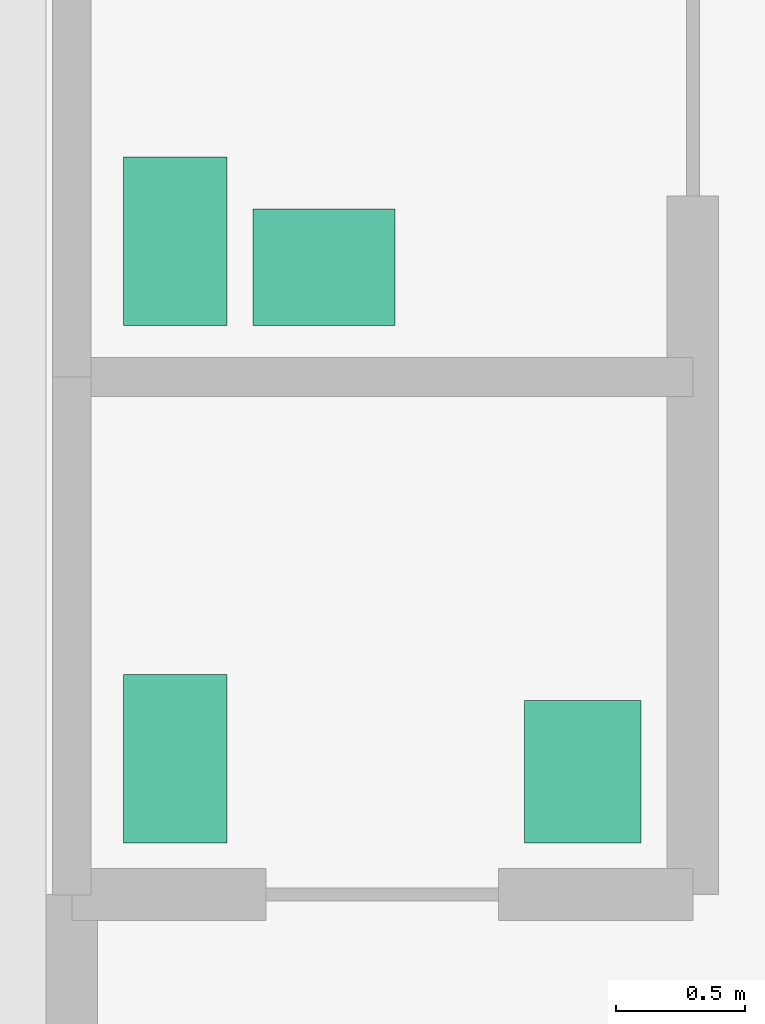
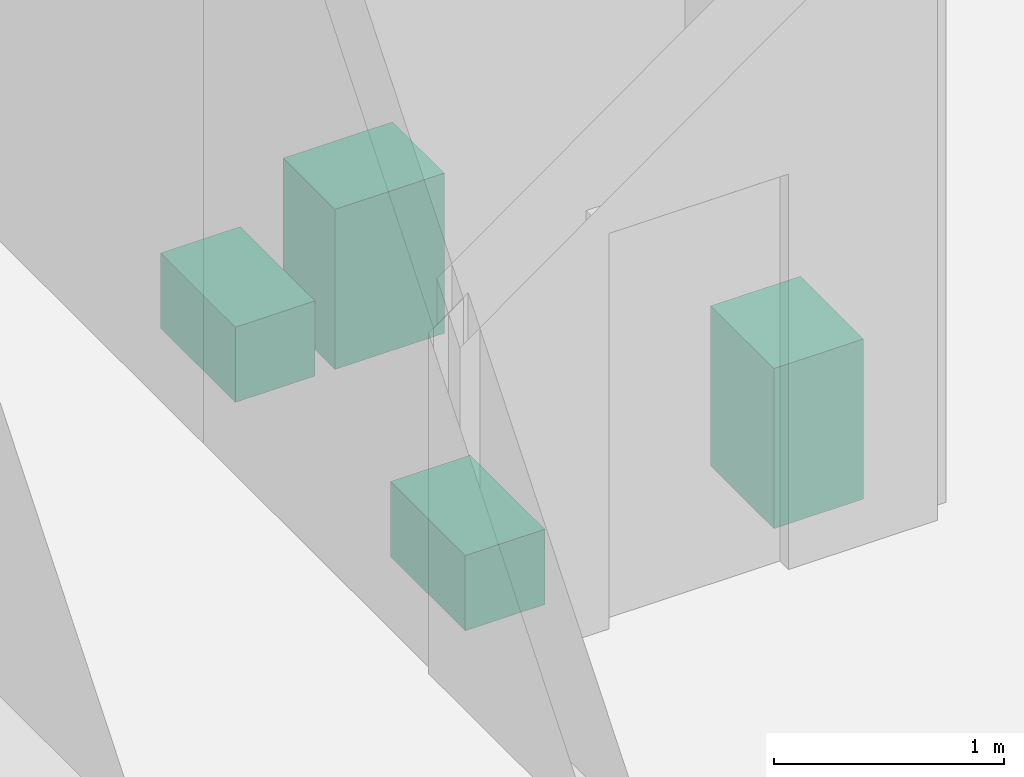
# One storey, part 9 of 9: 4 sanitary terminals.
"""IFC4 building model written with IfcOpenShell, lengths in metres."""

from ifc_helpers import new_model, si_unit, direction, frame, origin, origin_2d, place, context, subcontext, project, spatial, rectangle, extrude, material, type_object, element, save


model = new_model("IFC4")

# Units and contexts
model_context = context("Model", 3, precision=1e-05, world=origin(), true_north=direction((0.0, 1.0)))
body_context = subcontext(model_context, "Body", "Model", "MODEL_VIEW")
ifc_project = project(units=[si_unit("LENGTHUNIT", "METRE"), si_unit("AREAUNIT", "SQUARE_METRE"), si_unit("VOLUMEUNIT", "CUBIC_METRE"), si_unit("PLANEANGLEUNIT", "RADIAN"), si_unit("MASSUNIT", "GRAM", prefix="KILO")], contexts=[model_context])

# Site, building, storey
site_placement = place(None, origin())
site = spatial("IfcSite", under=ifc_project, at=site_placement, CompositionType="ELEMENT")
building_placement = place(site_placement, origin())
building = spatial("IfcBuilding", under=site, at=building_placement, Name="Mashrafa Tower", CompositionType="ELEMENT")
storey_placement = place(building_placement, frame((0.0, 0.0, 266.300048828125)))
storey = spatial("IfcBuildingStorey", under=building, at=storey_placement, Name="L64", CompositionType="ELEMENT", Elevation=266.300048828125)

# Sanitary terminals
ifc_material_1 = material(Name="Vitreous china")
sanitary_terminal_type_1 = type_object("IfcSanitaryTerminalType", Name="Toilet pan 400 x 650", PredefinedType="TOILETPAN", material=ifc_material_1)
for number, where, z_axis, x_axis, name in (
    (1, (13.449951171875, 3.125, 0.0), (0.0, 0.0, 1.0), (1.0, 0.0, 0.0), "Toilet pan Refuge WC L64"),
    (2, (13.449951171875, 5.125, 0.0), (0.0, 0.0, 1.0), (1.0, 0.0, 0.0), "Toilet pan Refuge Accessible WC L64"),
):
    element("IfcSanitaryTerminal", number, at=place(storey_placement, frame(where, z_axis=z_axis, x_axis=x_axis)), inside=storey, type_object=sanitary_terminal_type_1, Name=name, PredefinedType="TOILETPAN", context=body_context, shape_type="SweptSolid", body=[
        extrude(rectangle(XDim=0.39990234375, YDim=0.64990234375, at=origin_2d()), origin(), (0.0, 0.0, 1.0), 0.39990234375),
    ])
ifc_material_2 = material(Name="Vitreous china")
sanitary_terminal_type_2 = type_object("IfcSanitaryTerminalType", Name="Wash basin 550 x 450", PredefinedType="WASHHANDBASIN", material=ifc_material_2)
for number, where, z_axis, x_axis, name in (
    (3, (15.02490234375, 3.074951171875, 0.0), (0.0, 0.0, 1.0), (0.0, 1.0, 0.0), "Wash basin Refuge WC L64"),
    (4, (14.02490234375, 5.02490234375, 0.0), (0.0, 0.0, 1.0), (1.0, 0.0, 0.0), "Wash basin Refuge Accessible WC L64"),
):
    element("IfcSanitaryTerminal", number, at=place(storey_placement, frame(where, z_axis=z_axis, x_axis=x_axis)), inside=storey, type_object=sanitary_terminal_type_2, Name=name, PredefinedType="WASHHANDBASIN", context=body_context, shape_type="SweptSolid", body=[
        extrude(rectangle(XDim=0.550048828125, YDim=0.449951171875, at=origin_2d()), origin(), (0.0, 0.0, 1.0), 0.85009765625),
    ])

save(model, "model.ifc")
